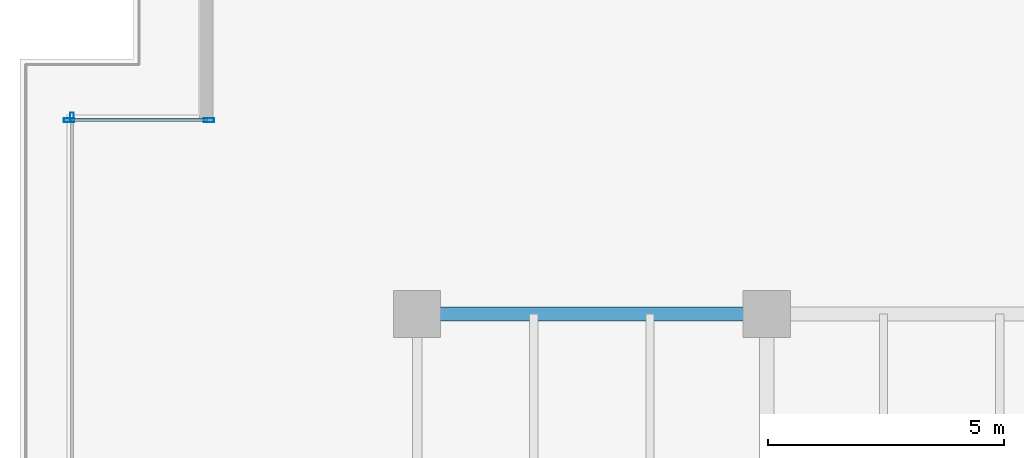
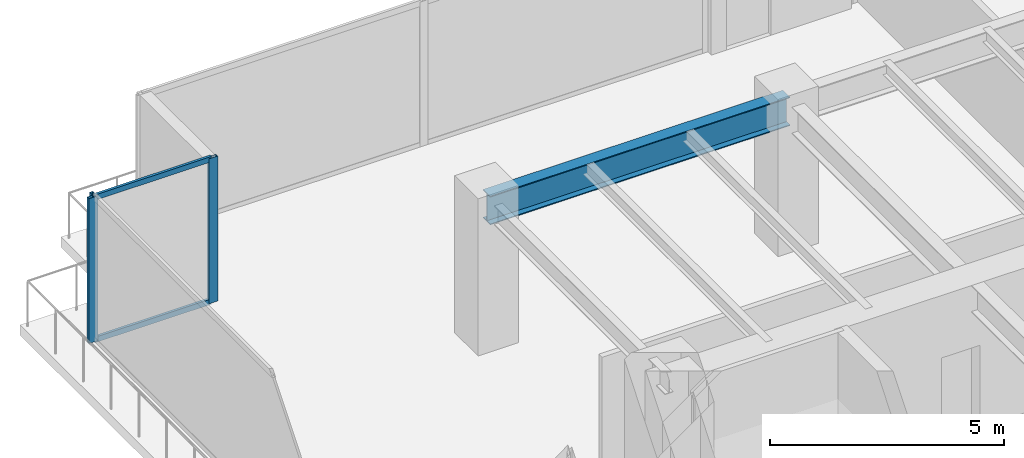
# One storey, part 12 of 36: 5 members, 1 beam, 2 elements without a shape of their own.
"""IFC4 building model written with IfcOpenShell, lengths in metres."""

from ifc_helpers import new_model, si_unit, direction, frame, origin, origin_2d, place, context, subcontext, project, spatial, hollow_rectangle, i_section, extrude, source, transform, mapped, material, layer, layer_set, material_profile, profile_set, type_object, type_shapes, element, aggregate, save


model = new_model("IFC4")

# Units and contexts
model_context = context("Model", 3, precision=1e-05, world=origin(), true_north=direction((0.0, 1.0)))
body_context = subcontext(model_context, "Body", "Model", "MODEL_VIEW")
ifc_project = project(units=[si_unit("LENGTHUNIT", "METRE"), si_unit("AREAUNIT", "SQUARE_METRE"), si_unit("VOLUMEUNIT", "CUBIC_METRE"), si_unit("PLANEANGLEUNIT", "RADIAN"), si_unit("MASSUNIT", "GRAM", prefix="KILO")], contexts=[model_context])

# Site, building, storey
site_placement = place(None, origin())
site = spatial("IfcSite", under=ifc_project, at=site_placement, CompositionType="ELEMENT")
building_placement = place(site_placement, origin())
building = spatial("IfcBuilding", under=site, at=building_placement, Name="Haelvirn Gate Laboratories", CompositionType="ELEMENT")
storey_placement = place(building_placement, frame((0.0, 0.0, 25.199951171875)))
storey = spatial("IfcBuildingStorey", under=building, at=storey_placement, Name="L06", CompositionType="ELEMENT", Elevation=25.199951171875)

# Beam
ifc_material_1 = material(Name="Steel SM355", Category="steel")
ifc_material_profile_1 = material_profile(ifc_material_1, i_section(OverallWidth=0.300048828125, OverallDepth=0.75, WebThickness=0.013916015625, FlangeThickness=0.02392578125, at=origin_2d()), Name="H-750x300x14x24")
ifc_profile_set_1 = profile_set([ifc_material_profile_1], Name="Steel SM355")
beam_type = type_object("IfcBeamType", Name="BM-G-750", PredefinedType="BEAM", material=ifc_profile_set_1)
shared_shape_1 = source(origin(), body_context, "Body", "SweptSolid", [
    extrude(i_section(OverallWidth=0.300048828125, OverallDepth=0.75, WebThickness=0.013916015625, FlangeThickness=0.02392578125, at=origin_2d()), origin(), (0.0, 0.0, 1.0), 7.400146484375),
])
type_shapes(beam_type, [shared_shape_1])
beam_placement = place(storey_placement, frame((7.39990234375, 41.60009765625, 3.405029296875), z_axis=(1.0, 0.0, 0.0), x_axis=(0.0, 1.0, 0.0)))
element("IfcBeam", 1, at=beam_placement, inside=storey, type_object=beam_type, Name="L06 Primary Girder Y41.6 (7.4-14.8)", PredefinedType="BEAM", context=body_context, shape_type="MappedRepresentation", body=[
    mapped(shared_shape_1, transform((0.0, 0.0, 0.0), scale=1.0)),
])

# Curtain wall, member
ifc_material_2 = material(Name="Anodised bronze unitised aluminium & triple low-E glass", Category="aluminium")
ifc_layer_1 = layer(ifc_material_2, 0.18408203125, Name="CW-SYS-2")
ifc_layer_set_1 = layer_set([ifc_layer_1], Name="Anodised bronze unitised aluminium & triple low-E glass")
curtain_wall_type_1 = type_object("IfcCurtainWallType", Name="CW-SYS-2", PredefinedType="NOTDEFINED", material=ifc_layer_set_1)
curtain_wall_1_placement = place(storey_placement, origin())
curtain_wall_1 = element("IfcCurtainWall", 2, at=curtain_wall_1_placement, inside=storey, type_object=curtain_wall_type_1, Name="L06 Unitised Curtain Wall CW-L06-P0-E17", PredefinedType="NOTDEFINED")
ifc_material_3 = material(Name="Extruded aluminium 6063-T6 (anodised bronze)", Category="aluminium")
ifc_material_profile_2 = material_profile(ifc_material_3, hollow_rectangle(XDim=0.074951171875, YDim=0.199951171875, WallThickness=0.0048828125, at=origin_2d()), Name="CWM-200x75x5")
ifc_profile_set_2 = profile_set([ifc_material_profile_2], Name="Extruded aluminium 6063-T6 (anodised bronze)")
member_type_1 = type_object("IfcMemberType", Name="CWM-T200", PredefinedType="MULLION", material=ifc_profile_set_2)
shared_shape_2 = source(origin(), body_context, "Body", "SweptSolid", [
    extrude(hollow_rectangle(XDim=0.074951171875, YDim=0.199951171875, WallThickness=0.0048828125, at=origin_2d()), origin(), (0.0, 0.0, 1.0), 3.780029296875),
])
type_shapes(member_type_1, [shared_shape_2])
member_1_placement = place(storey_placement, frame((0.10009765625, 45.762451171875, 0.0), z_axis=(0.0, 0.0, 1.0), x_axis=(1.0, 0.0, 0.0)))
member_1 = element("IfcMember", 3, at=member_1_placement, type_object=member_type_1, Name="CW2 mullion 1", PredefinedType="MULLION", context=body_context, shape_type="MappedRepresentation", body=[
    mapped(shared_shape_2, transform((0.0, 0.0, 0.0), scale=1.0)),
])
aggregate(curtain_wall_1, [member_1])

# Curtain wall, members
ifc_layer_2 = layer(ifc_material_2, 0.181884765625, Name="CW-SYS-5")
ifc_layer_set_2 = layer_set([ifc_layer_2], Name="Anodised bronze unitised aluminium & triple low-E glass")
curtain_wall_type_2 = type_object("IfcCurtainWallType", Name="CW-SYS-5", PredefinedType="NOTDEFINED", material=ifc_layer_set_2)
curtain_wall_2_placement = place(storey_placement, origin())
curtain_wall_2 = element("IfcCurtainWall", 4, at=curtain_wall_2_placement, inside=storey, type_object=curtain_wall_type_2, Name="L06 Unitised Curtain Wall CW-L06-P0-E16-1", PredefinedType="NOTDEFINED")
ifc_material_profile_3 = material_profile(ifc_material_3, hollow_rectangle(XDim=0.080078125, YDim=0.219970703125, WallThickness=0.006103515625, at=origin_2d()), Name="CWM-220x80x6")
ifc_profile_set_3 = profile_set([ifc_material_profile_3], Name="Extruded aluminium 6063-T6 (anodised bronze)")
member_type_2 = type_object("IfcMemberType", Name="CWM-T220", PredefinedType="MULLION", material=ifc_profile_set_3)
shared_shape_3 = source(origin(), body_context, "Body", "SweptSolid", [
    extrude(hollow_rectangle(XDim=0.080078125, YDim=0.219970703125, WallThickness=0.006103515625, at=origin_2d()), origin(), (0.0, 0.0, 1.0), 3.780029296875),
])
type_shapes(member_type_2, [shared_shape_3])
member_2_placement = place(storey_placement, frame((0.0400390625, 45.699951171875, 0.0), z_axis=(0.0, 0.0, 1.0), x_axis=(0.0, 1.0, 0.0)))
member_2 = element("IfcMember", 5, at=member_2_placement, type_object=member_type_2, Name="CW5 mullion 1", PredefinedType="MULLION", context=body_context, shape_type="MappedRepresentation", body=[
    mapped(shared_shape_3, transform((0.0, 0.0, 0.0), scale=1.0)),
])
member_3_placement = place(storey_placement, frame((3.0, 45.699951171875, 0.0), z_axis=(0.0, 0.0, 1.0), x_axis=(0.0, 1.0, 0.0)))
member_3 = element("IfcMember", 6, at=member_3_placement, type_object=member_type_2, Name="CW5 mullion 2", PredefinedType="MULLION", context=body_context, shape_type="MappedRepresentation", body=[
    mapped(shared_shape_3, transform((0.0, 0.0, 0.0), scale=1.0)),
])
ifc_material_profile_4 = material_profile(ifc_material_3, hollow_rectangle(XDim=0.06494140625, YDim=0.139892578125, WallThickness=0.00390625, at=origin_2d()), Name="CWT-140x65x4")
ifc_profile_set_4 = profile_set([ifc_material_profile_4], Name="Extruded aluminium 6063-T6 (anodised bronze)")
member_type_3 = type_object("IfcMemberType", Name="CWT-T140", PredefinedType="USERDEFINED", material=ifc_profile_set_4)
shared_shape_4 = source(origin(), body_context, "Body", "SweptSolid", [
    extrude(hollow_rectangle(XDim=0.06494140625, YDim=0.139892578125, WallThickness=0.00390625, at=origin_2d()), origin(), (0.0, 0.0, 1.0), 2.8798828125),
])
type_shapes(member_type_3, [shared_shape_4])
member_4_placement = place(storey_placement, frame((0.080078125, 45.699951171875, 0.032470703125), z_axis=(1.0, 0.0, 0.0), x_axis=(0.0, 1.0, 0.0)))
member_4 = element("IfcMember", 7, at=member_4_placement, type_object=member_type_3, Name="CW5 transom 1.1", ObjectType="TRANSOM", PredefinedType="USERDEFINED", context=body_context, shape_type="MappedRepresentation", body=[
    mapped(shared_shape_4, transform((0.0, 0.0, 0.0), scale=1.0)),
])
member_5_placement = place(storey_placement, frame((0.080078125, 45.699951171875, 3.74755859375), z_axis=(1.0, 0.0, 0.0), x_axis=(0.0, 1.0, 0.0)))
member_5 = element("IfcMember", 8, at=member_5_placement, type_object=member_type_3, Name="CW5 transom 1.2", ObjectType="TRANSOM", PredefinedType="USERDEFINED", context=body_context, shape_type="MappedRepresentation", body=[
    mapped(shared_shape_4, transform((0.0, 0.0, 0.0), scale=1.0)),
])
aggregate(curtain_wall_2, [member_2, member_3, member_4, member_5])

save(model, "model.ifc")
